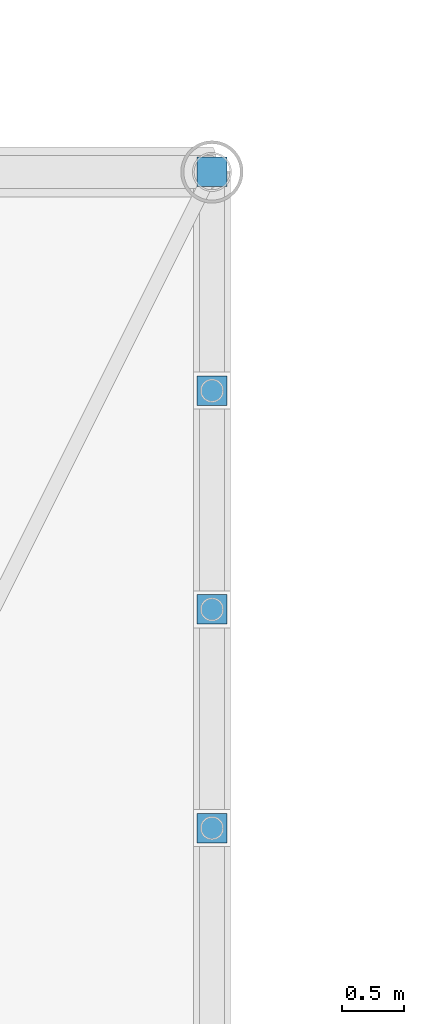
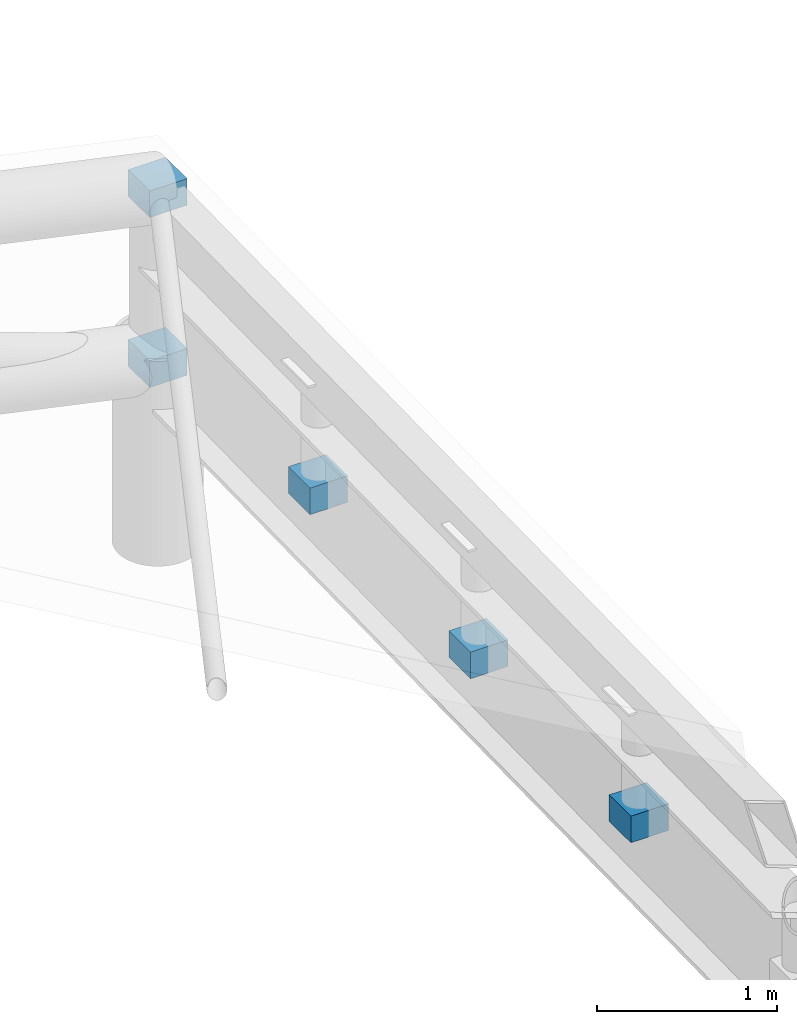
# One storey, part 39 of 41: 5 discrete accessories.
"""IFC4 building model written with IfcOpenShell, lengths in metres."""

from ifc_helpers import new_model, si_unit, direction, frame, origin, origin_2d, place, context, subcontext, project, spatial, rectangle, extrude, material, layer, layer_set, type_object, element, save


model = new_model("IFC4")

# Units and contexts
model_context = context("Model", 3, precision=1e-05, world=origin(), true_north=direction((0.0, 1.0)))
body_context = subcontext(model_context, "Body", "Model", "MODEL_VIEW")
ifc_project = project(units=[si_unit("LENGTHUNIT", "METRE"), si_unit("AREAUNIT", "SQUARE_METRE"), si_unit("VOLUMEUNIT", "CUBIC_METRE"), si_unit("PLANEANGLEUNIT", "RADIAN"), si_unit("MASSUNIT", "GRAM", prefix="KILO")], contexts=[model_context])

# Site, building, storey
site_placement = place(None, origin())
site = spatial("IfcSite", under=ifc_project, at=site_placement, CompositionType="ELEMENT")
building_placement = place(site_placement, origin())
building = spatial("IfcBuilding", under=site, at=building_placement, Name="Haebicheon Civic Stadium", CompositionType="ELEMENT")
storey_placement = place(building_placement, frame((0.0, 0.0, 27.0)))
storey = spatial("IfcBuildingStorey", under=building, at=storey_placement, Name="L07", CompositionType="ELEMENT", Elevation=27.0)

# Discrete accessories
ifc_material = material(Name="White painted steel SM490", Category="steel")
ifc_layer = layer(ifc_material, 0.179931640625, Name="White painted steel SM490")
ifc_layer_set = layer_set([ifc_layer], Name="White painted steel SM490")
discrete_accessory_type = type_object("IfcDiscreteAccessoryType", Name="BRK-END-PLT", PredefinedType="BRACKET", material=ifc_layer_set)
for number, where, z_axis, x_axis, name in (
    (1, (152.0, 136.0, 1.14697265625), (0.0, 0.0, 1.0), (1.0, 0.0, 0.0), "CAN-EAST truss 9 node bolted end connection plate"),
    (2, (152.0, 136.0, 2.296875), (0.0, 0.0, 1.0), (1.0, 0.0, 0.0), "CAN-EAST truss 9 node bolted end connection plate"),
    (3, (152.0, 130.6669921875, 1.30126953125), (0.0, 0.0, 1.0), (1.0, 0.0, 0.0), "CAN-EAST hanger base 8.6 bolted end connection plate"),
    (4, (152.0, 132.444091796875, 1.3330078125), (0.0, 0.0, 1.0), (1.0, 0.0, 0.0), "CAN-EAST hanger base 8.7 bolted end connection plate"),
    (5, (152.0, 134.221923828125, 1.365234375), (0.0, 0.0, 1.0), (1.0, 0.0, 0.0), "CAN-EAST hanger base 8.8 bolted end connection plate"),
):
    element("IfcDiscreteAccessory", number, at=place(storey_placement, frame(where, z_axis=z_axis, x_axis=x_axis)), inside=storey, type_object=discrete_accessory_type, material=ifc_layer_set, Name=name, PredefinedType="BRACKET", context=body_context, shape_type="SweptSolid", body=[
        extrude(rectangle(XDim=0.239990234375, YDim=0.239990234375, at=origin_2d()), origin(), (0.0, 0.0, 1.0), 0.179931640625),
    ])

save(model, "model.ifc")
